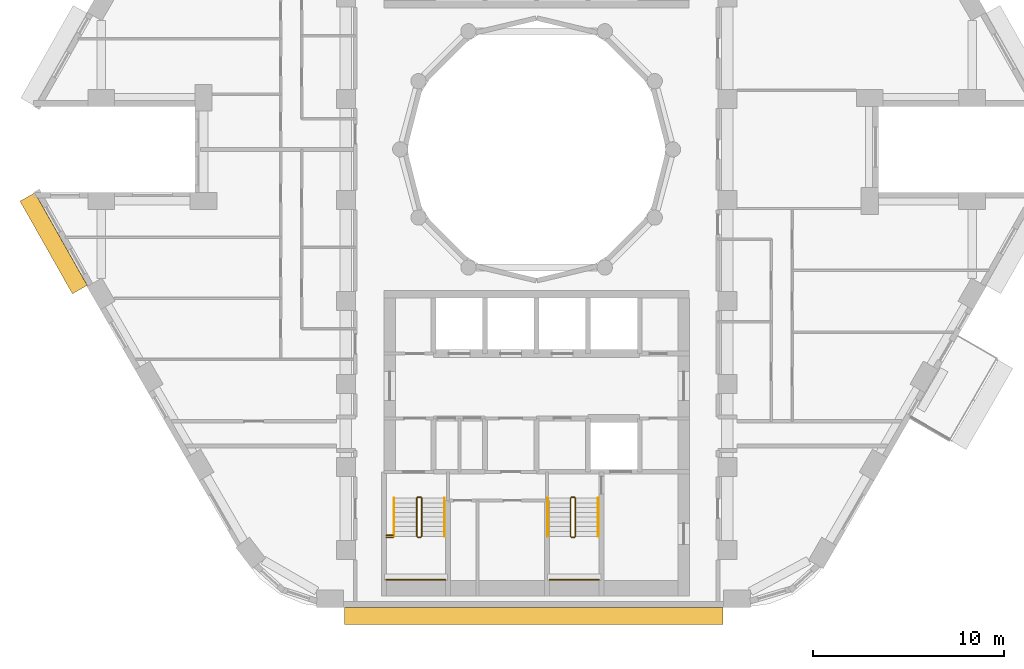
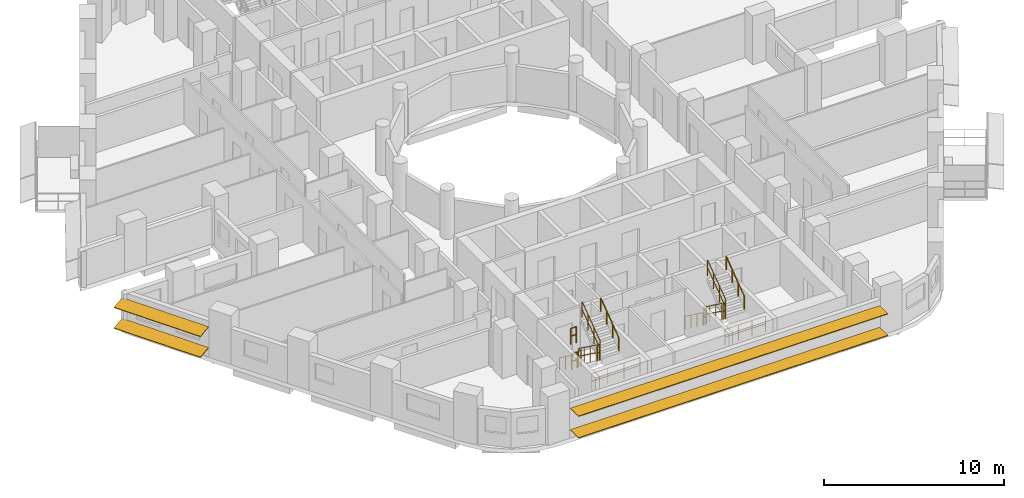
# One storey, part 12 of 14: 16 railings, 4 shading devices.
"""IFC4 building model written with IfcOpenShell, lengths in metres."""

from ifc_helpers import new_model, si_unit, direction, frame, origin, origin_2d, place, context, subcontext, project, spatial, rectangle, circle, extrude, material, material_profile, profile_set, type_object, element, save


model = new_model("IFC4")

# Units and contexts
model_context = context("Model", 3, precision=1e-05, world=origin(), true_north=direction((0.0, 1.0)))
body_context = subcontext(model_context, "Body", "Model", "MODEL_VIEW")
ifc_project = project(units=[si_unit("LENGTHUNIT", "METRE"), si_unit("AREAUNIT", "SQUARE_METRE"), si_unit("VOLUMEUNIT", "CUBIC_METRE"), si_unit("PLANEANGLEUNIT", "RADIAN"), si_unit("MASSUNIT", "GRAM", prefix="KILO")], contexts=[model_context])

# Site, building, storey
site_placement = place(None, origin())
site = spatial("IfcSite", under=ifc_project, at=site_placement, CompositionType="ELEMENT")
building_placement = place(site_placement, origin())
building = spatial("IfcBuilding", under=site, at=building_placement, Name="Nakaniwa Court", CompositionType="ELEMENT")
storey_placement = place(building_placement, frame((0.0, 0.0, 110.699951171875)))
storey = spatial("IfcBuildingStorey", under=building, at=storey_placement, Name="L29", CompositionType="ELEMENT", Elevation=110.699951171875)

# Shading devices
ifc_material_1 = material(Name="Perforated charcoal ceramic louvre blade")
ifc_material_profile = material_profile(ifc_material_1, rectangle(XDim=0.89990234375, YDim=0.050048828125, at=origin_2d()), Name="Perforated ceramic louvre blade")
ifc_profile_set = profile_set([ifc_material_profile], Name="Perforated charcoal ceramic louvre blade")
shading_device_type = type_object("IfcShadingDeviceType", Name="Perforated ceramic louvre blade", PredefinedType="JALOUSIE", material=ifc_profile_set)
for number, where, z_axis, x_axis, name in (
    (1, (53.31689453125, 77.508056640625, 0.550048828125), (0.492438058427, -0.870347493024, 0.0), (0.862701960504, 0.488112256124, 0.132256390257), "L29 perforated ceramic louvre blade w20 1"),
    (2, (53.31689453125, 77.508056640625, 1.955810546875), (0.492438058427, -0.870347493024, 0.0), (0.862701960504, 0.488112256124, 0.132256390257), "L29 perforated ceramic louvre blade w20 2"),
):
    element("IfcShadingDevice", number, at=place(storey_placement, frame(where, z_axis=z_axis, x_axis=x_axis)), inside=storey, type_object=shading_device_type, Name=name, PredefinedType="JALOUSIE", context=body_context, shape_type="SweptSolid", body=[
        extrude(rectangle(XDim=0.89990234375, YDim=0.050048828125, at=origin_2d()), origin(), (0.0, 0.0, 1.0), 5.576416015625),
    ])
for number, where, z_axis, x_axis, name in (
    (3, (69.92138671875, 55.550048828125, 0.550048828125), (1.0, 0.0, 0.0), (0.0, 1.0, 0.0), "L29 perforated ceramic louvre blade w26 1"),
    (4, (69.92138671875, 55.550048828125, 2.01513671875), (1.0, 0.0, 0.0), (0.0, 1.0, 0.0), "L29 perforated ceramic louvre blade w26 2"),
):
    element("IfcShadingDevice", number, at=place(storey_placement, frame(where, z_axis=z_axis, x_axis=x_axis)), inside=storey, type_object=shading_device_type, Name=name, PredefinedType="JALOUSIE", context=body_context, shape_type="SweptSolid", body=[
        extrude(rectangle(XDim=0.89990234375, YDim=0.050048828125, at=origin_2d()), origin(), (0.0, 0.0, 1.0), 19.839599609375),
    ])

# Railings
ifc_material_2 = material(Name="Black powder coated steel guard", Category="steel")
railing_type_1 = type_object("IfcRailingType", Name="Stair guard 1100", PredefinedType="GUARDRAIL", material=ifc_material_2)
railing_1_placement = place(storey_placement, frame((73.72509765625, 61.72509765625, 0.183349609375)))
element("IfcRailing", 5, at=railing_1_placement, inside=storey, type_object=railing_type_1, Name="L29 ST3 stair guard 1", PredefinedType="GUARDRAIL", context=body_context, shape_type="SweptSolid", body=[
    extrude(circle(Radius=0.02392578125, at=origin_2d()), frame((0.0, 0.0, 1.076171875), z_axis=(0.0, -0.806379959628, 0.591397802423), x_axis=(1.0, 0.0, 0.0)), (0.0, 0.0, 1.0), 2.480224609375),
    extrude(circle(Radius=0.02392578125, at=origin_2d()), frame((0.0, 0.0, 0.550048828125), z_axis=(0.0, -0.806379959628, 0.591397802423), x_axis=(1.0, 0.0, 0.0)), (0.0, 0.0, 1.0), 2.480224609375),
    extrude(circle(Radius=0.02099609375, at=origin_2d()), origin(), (0.0, 0.0, 1.0), 1.052001953125),
    extrude(circle(Radius=0.02099609375, at=origin_2d()), frame((0.0, -0.666748046875, 0.489013671875)), (0.0, 0.0, 1.0), 1.052001953125),
    extrude(circle(Radius=0.02099609375, at=origin_2d()), frame((0.0, -1.333251953125, 0.977783203125)), (0.0, 0.0, 1.0), 1.052001953125),
    extrude(circle(Radius=0.02099609375, at=origin_2d()), frame((0.0, -2.0, 1.466796875)), (0.0, 0.0, 1.0), 1.052001953125),
])
railing_2_placement = place(storey_placement, frame((73.77490234375, 59.675048828125, 1.650146484375)))
element("IfcRailing", 6, at=railing_2_placement, inside=storey, type_object=railing_type_1, Name="L29 ST3 stair guard 2", PredefinedType="GUARDRAIL", context=body_context, shape_type="SweptSolid", body=[
    extrude(circle(Radius=0.02392578125, at=origin_2d()), frame((0.0, 0.0, 1.076171875), z_axis=(1.0, 0.0, 0.0), x_axis=(0.0, 1.0, 0.0)), (0.0, 0.0, 1.0), 0.150146484375),
    extrude(circle(Radius=0.02392578125, at=origin_2d()), frame((0.0, 0.0, 0.550048828125), z_axis=(1.0, 0.0, 0.0), x_axis=(0.0, 1.0, 0.0)), (0.0, 0.0, 1.0), 0.150146484375),
    extrude(circle(Radius=0.02099609375, at=origin_2d()), origin(), (0.0, 0.0, 1.0), 1.052001953125),
    extrude(circle(Radius=0.02099609375, at=origin_2d()), frame((0.150146484375, 0.0, 0.0)), (0.0, 0.0, 1.0), 1.052001953125),
])
railing_3_placement = place(storey_placement, frame((73.97509765625, 59.72509765625, 1.83349609375)))
element("IfcRailing", 7, at=railing_3_placement, inside=storey, type_object=railing_type_1, Name="L29 ST3 stair guard 3", PredefinedType="GUARDRAIL", context=body_context, shape_type="SweptSolid", body=[
    extrude(circle(Radius=0.02392578125, at=origin_2d()), frame((0.0, 0.0, 1.076171875), z_axis=(0.0, 0.806426902644, 0.591333789573), x_axis=(-1.0, 0.0, 0.0)), (0.0, 0.0, 1.0), 2.47998046875),
    extrude(circle(Radius=0.02392578125, at=origin_2d()), frame((0.0, 0.0, 0.550048828125), z_axis=(0.0, 0.806426902644, 0.591333789573), x_axis=(-1.0, 0.0, 0.0)), (0.0, 0.0, 1.0), 2.47998046875),
    extrude(circle(Radius=0.02099609375, at=origin_2d()), origin(), (0.0, 0.0, 1.0), 1.052001953125),
    extrude(circle(Radius=0.02099609375, at=origin_2d()), frame((0.0, 0.666748046875, 0.48876953125)), (0.0, 0.0, 1.0), 1.052001953125),
    extrude(circle(Radius=0.02099609375, at=origin_2d()), frame((0.0, 1.333251953125, 0.977783203125)), (0.0, 0.0, 1.0), 1.052001953125),
    extrude(circle(Radius=0.02099609375, at=origin_2d()), frame((0.0, 2.0, 1.466552734375)), (0.0, 0.0, 1.0), 1.052001953125),
])
railing_4_placement = place(storey_placement, frame((73.77490234375, 61.77490234375, 0.0)))
element("IfcRailing", 8, at=railing_4_placement, inside=storey, type_object=railing_type_1, Name="L29 ST3 stair guard 4", PredefinedType="GUARDRAIL", context=body_context, shape_type="SweptSolid", body=[
    extrude(circle(Radius=0.02392578125, at=origin_2d()), frame((0.0, 0.0, 1.076171875), z_axis=(1.0, 0.0, 0.0), x_axis=(0.0, 1.0, 0.0)), (0.0, 0.0, 1.0), 0.150146484375),
    extrude(circle(Radius=0.02392578125, at=origin_2d()), frame((0.0, 0.0, 0.550048828125), z_axis=(1.0, 0.0, 0.0), x_axis=(0.0, 1.0, 0.0)), (0.0, 0.0, 1.0), 0.150146484375),
    extrude(circle(Radius=0.02099609375, at=origin_2d()), origin(), (0.0, 0.0, 1.0), 1.052001953125),
    extrude(circle(Radius=0.02099609375, at=origin_2d()), frame((0.150146484375, 0.0, 0.0)), (0.0, 0.0, 1.0), 1.052001953125),
])
railing_5_placement = place(storey_placement, frame((72.125, 57.449951171875, 1.650146484375)))
element("IfcRailing", 9, at=railing_5_placement, inside=storey, type_object=railing_type_1, Name="L29 ST3 landing end guard 1", PredefinedType="GUARDRAIL", context=body_context, shape_type="SweptSolid", body=[
    extrude(circle(Radius=0.02392578125, at=origin_2d()), frame((0.0, 0.0, 1.076171875), z_axis=(1.0, 0.0, 0.0), x_axis=(0.0, 1.0, 0.0)), (0.0, 0.0, 1.0), 3.10009765625),
    extrude(circle(Radius=0.02392578125, at=origin_2d()), frame((0.0, 0.0, 0.550048828125), z_axis=(1.0, 0.0, 0.0), x_axis=(0.0, 1.0, 0.0)), (0.0, 0.0, 1.0), 3.10009765625),
    extrude(circle(Radius=0.02099609375, at=origin_2d()), origin(), (0.0, 0.0, 1.0), 1.052001953125),
    extrude(circle(Radius=0.02099609375, at=origin_2d()), frame((1.033447265625, 0.0, 0.0)), (0.0, 0.0, 1.0), 1.052001953125),
    extrude(circle(Radius=0.02099609375, at=origin_2d()), frame((2.066650390625, 0.0, 0.0)), (0.0, 0.0, 1.0), 1.052001953125),
    extrude(circle(Radius=0.02099609375, at=origin_2d()), frame((3.10009765625, 0.0, 0.0)), (0.0, 0.0, 1.0), 1.052001953125),
])
for number, where, name in (
    (10, (72.125, 59.675048828125, 1.650146484375), "L29 ST3 landing side guard 1W"),
    (11, (72.125, 59.77490234375, 3.300048828125), "L29 ST3 floor edge guard 1W"),
):
    element("IfcRailing", number, at=place(storey_placement, frame(where)), inside=storey, type_object=railing_type_1, Name=name, PredefinedType="GUARDRAIL", context=body_context, shape_type="SweptSolid", body=[
        extrude(circle(Radius=0.02392578125, at=origin_2d()), frame((0.0, 0.0, 1.076171875), z_axis=(1.0, 0.0, 0.0), x_axis=(0.0, 1.0, 0.0)), (0.0, 0.0, 1.0), 0.35009765625),
        extrude(circle(Radius=0.02392578125, at=origin_2d()), frame((0.0, 0.0, 0.550048828125), z_axis=(1.0, 0.0, 0.0), x_axis=(0.0, 1.0, 0.0)), (0.0, 0.0, 1.0), 0.35009765625),
        extrude(circle(Radius=0.02099609375, at=origin_2d()), origin(), (0.0, 0.0, 1.0), 1.052001953125),
        extrude(circle(Radius=0.02099609375, at=origin_2d()), frame((0.35009765625, 0.0, 0.0)), (0.0, 0.0, 1.0), 1.052001953125),
    ])
railing_6_placement = place(storey_placement, frame((81.77490234375, 61.72509765625, 0.183349609375)))
element("IfcRailing", 12, at=railing_6_placement, inside=storey, type_object=railing_type_1, Name="L29 ST4 stair guard 1", PredefinedType="GUARDRAIL", context=body_context, shape_type="SweptSolid", body=[
    extrude(circle(Radius=0.02392578125, at=origin_2d()), frame((0.0, 0.0, 1.076171875), z_axis=(0.0, -0.806379959628, 0.591397802423), x_axis=(1.0, 0.0, 0.0)), (0.0, 0.0, 1.0), 2.480224609375),
    extrude(circle(Radius=0.02392578125, at=origin_2d()), frame((0.0, 0.0, 0.550048828125), z_axis=(0.0, -0.806379959628, 0.591397802423), x_axis=(1.0, 0.0, 0.0)), (0.0, 0.0, 1.0), 2.480224609375),
    extrude(circle(Radius=0.02099609375, at=origin_2d()), origin(), (0.0, 0.0, 1.0), 1.052001953125),
    extrude(circle(Radius=0.02099609375, at=origin_2d()), frame((0.0, -0.666748046875, 0.489013671875)), (0.0, 0.0, 1.0), 1.052001953125),
    extrude(circle(Radius=0.02099609375, at=origin_2d()), frame((0.0, -1.333251953125, 0.977783203125)), (0.0, 0.0, 1.0), 1.052001953125),
    extrude(circle(Radius=0.02099609375, at=origin_2d()), frame((0.0, -2.0, 1.466796875)), (0.0, 0.0, 1.0), 1.052001953125),
])
railing_7_placement = place(storey_placement, frame((81.824951171875, 59.675048828125, 1.650146484375)))
element("IfcRailing", 13, at=railing_7_placement, inside=storey, type_object=railing_type_1, Name="L29 ST4 stair guard 2", PredefinedType="GUARDRAIL", context=body_context, shape_type="SweptSolid", body=[
    extrude(circle(Radius=0.02392578125, at=origin_2d()), frame((0.0, 0.0, 1.076171875), z_axis=(1.0, 0.0, 0.0), x_axis=(0.0, 1.0, 0.0)), (0.0, 0.0, 1.0), 0.150146484375),
    extrude(circle(Radius=0.02392578125, at=origin_2d()), frame((0.0, 0.0, 0.550048828125), z_axis=(1.0, 0.0, 0.0), x_axis=(0.0, 1.0, 0.0)), (0.0, 0.0, 1.0), 0.150146484375),
    extrude(circle(Radius=0.02099609375, at=origin_2d()), origin(), (0.0, 0.0, 1.0), 1.052001953125),
    extrude(circle(Radius=0.02099609375, at=origin_2d()), frame((0.150146484375, 0.0, 0.0)), (0.0, 0.0, 1.0), 1.052001953125),
])
railing_8_placement = place(storey_placement, frame((82.02490234375, 59.72509765625, 1.83349609375)))
element("IfcRailing", 14, at=railing_8_placement, inside=storey, type_object=railing_type_1, Name="L29 ST4 stair guard 3", PredefinedType="GUARDRAIL", context=body_context, shape_type="SweptSolid", body=[
    extrude(circle(Radius=0.02392578125, at=origin_2d()), frame((0.0, 0.0, 1.076171875), z_axis=(0.0, 0.806426902644, 0.591333789573), x_axis=(-1.0, 0.0, 0.0)), (0.0, 0.0, 1.0), 2.47998046875),
    extrude(circle(Radius=0.02392578125, at=origin_2d()), frame((0.0, 0.0, 0.550048828125), z_axis=(0.0, 0.806426902644, 0.591333789573), x_axis=(-1.0, 0.0, 0.0)), (0.0, 0.0, 1.0), 2.47998046875),
    extrude(circle(Radius=0.02099609375, at=origin_2d()), origin(), (0.0, 0.0, 1.0), 1.052001953125),
    extrude(circle(Radius=0.02099609375, at=origin_2d()), frame((0.0, 0.666748046875, 0.48876953125)), (0.0, 0.0, 1.0), 1.052001953125),
    extrude(circle(Radius=0.02099609375, at=origin_2d()), frame((0.0, 1.333251953125, 0.977783203125)), (0.0, 0.0, 1.0), 1.052001953125),
    extrude(circle(Radius=0.02099609375, at=origin_2d()), frame((0.0, 2.0, 1.466552734375)), (0.0, 0.0, 1.0), 1.052001953125),
])
railing_9_placement = place(storey_placement, frame((81.824951171875, 61.77490234375, 0.0)))
element("IfcRailing", 15, at=railing_9_placement, inside=storey, type_object=railing_type_1, Name="L29 ST4 stair guard 4", PredefinedType="GUARDRAIL", context=body_context, shape_type="SweptSolid", body=[
    extrude(circle(Radius=0.02392578125, at=origin_2d()), frame((0.0, 0.0, 1.076171875), z_axis=(1.0, 0.0, 0.0), x_axis=(0.0, 1.0, 0.0)), (0.0, 0.0, 1.0), 0.150146484375),
    extrude(circle(Radius=0.02392578125, at=origin_2d()), frame((0.0, 0.0, 0.550048828125), z_axis=(1.0, 0.0, 0.0), x_axis=(0.0, 1.0, 0.0)), (0.0, 0.0, 1.0), 0.150146484375),
    extrude(circle(Radius=0.02099609375, at=origin_2d()), origin(), (0.0, 0.0, 1.0), 1.052001953125),
    extrude(circle(Radius=0.02099609375, at=origin_2d()), frame((0.150146484375, 0.0, 0.0)), (0.0, 0.0, 1.0), 1.052001953125),
])
railing_10_placement = place(storey_placement, frame((80.675048828125, 57.449951171875, 1.650146484375)))
element("IfcRailing", 16, at=railing_10_placement, inside=storey, type_object=railing_type_1, Name="L29 ST4 landing end guard 1", PredefinedType="GUARDRAIL", context=body_context, shape_type="SweptSolid", body=[
    extrude(circle(Radius=0.02392578125, at=origin_2d()), frame((0.0, 0.0, 1.076171875), z_axis=(1.0, 0.0, 0.0), x_axis=(0.0, 1.0, 0.0)), (0.0, 0.0, 1.0), 2.599853515625),
    extrude(circle(Radius=0.02392578125, at=origin_2d()), frame((0.0, 0.0, 0.550048828125), z_axis=(1.0, 0.0, 0.0), x_axis=(0.0, 1.0, 0.0)), (0.0, 0.0, 1.0), 2.599853515625),
    extrude(circle(Radius=0.02099609375, at=origin_2d()), origin(), (0.0, 0.0, 1.0), 1.052001953125),
    extrude(circle(Radius=0.02099609375, at=origin_2d()), frame((0.86669921875, 0.0, 0.0)), (0.0, 0.0, 1.0), 1.052001953125),
    extrude(circle(Radius=0.02099609375, at=origin_2d()), frame((1.733154296875, 0.0, 0.0)), (0.0, 0.0, 1.0), 1.052001953125),
    extrude(circle(Radius=0.02099609375, at=origin_2d()), frame((2.599853515625, 0.0, 0.0)), (0.0, 0.0, 1.0), 1.052001953125),
])
ifc_material_3 = material(Name="Black powder coated steel handrail", Category="steel")
railing_type_2 = type_object("IfcRailingType", Name="Stair handrail 900", PredefinedType="HANDRAIL", material=ifc_material_3)
railing_11_placement = place(storey_placement, frame((72.52490234375, 61.72509765625, 0.183349609375)))
element("IfcRailing", 17, at=railing_11_placement, inside=storey, type_object=railing_type_2, Name="L29 ST3 stair handrail 1", PredefinedType="HANDRAIL", context=body_context, shape_type="SweptSolid", body=[
    extrude(circle(Radius=0.02392578125, at=origin_2d()), frame((0.0, 0.0, 0.8759765625), z_axis=(0.0, -0.806379959628, 0.591397802423), x_axis=(1.0, 0.0, 0.0)), (0.0, 0.0, 1.0), 2.480224609375),
    extrude(circle(Radius=0.02099609375, at=origin_2d()), origin(), (0.0, 0.0, 1.0), 0.851806640625),
    extrude(circle(Radius=0.02099609375, at=origin_2d()), frame((0.0, -0.666748046875, 0.489013671875)), (0.0, 0.0, 1.0), 0.851806640625),
    extrude(circle(Radius=0.02099609375, at=origin_2d()), frame((0.0, -1.333251953125, 0.977783203125)), (0.0, 0.0, 1.0), 0.851806640625),
    extrude(circle(Radius=0.02099609375, at=origin_2d()), frame((0.0, -2.0, 1.466796875)), (0.0, 0.0, 1.0), 0.851806640625),
])
railing_12_placement = place(storey_placement, frame((75.175048828125, 59.72509765625, 1.83349609375)))
element("IfcRailing", 18, at=railing_12_placement, inside=storey, type_object=railing_type_2, Name="L29 ST3 stair handrail 2", PredefinedType="HANDRAIL", context=body_context, shape_type="SweptSolid", body=[
    extrude(circle(Radius=0.02392578125, at=origin_2d()), frame((0.0, 0.0, 0.8759765625), z_axis=(0.0, 0.806426902644, 0.591333789573), x_axis=(-1.0, 0.0, 0.0)), (0.0, 0.0, 1.0), 2.47998046875),
    extrude(circle(Radius=0.02099609375, at=origin_2d()), origin(), (0.0, 0.0, 1.0), 0.851806640625),
    extrude(circle(Radius=0.02099609375, at=origin_2d()), frame((0.0, 0.666748046875, 0.48876953125)), (0.0, 0.0, 1.0), 0.851806640625),
    extrude(circle(Radius=0.02099609375, at=origin_2d()), frame((0.0, 1.333251953125, 0.977783203125)), (0.0, 0.0, 1.0), 0.851806640625),
    extrude(circle(Radius=0.02099609375, at=origin_2d()), frame((0.0, 2.0, 1.466552734375)), (0.0, 0.0, 1.0), 0.851806640625),
])
railing_13_placement = place(storey_placement, frame((80.574951171875, 61.72509765625, 0.183349609375)))
element("IfcRailing", 19, at=railing_13_placement, inside=storey, type_object=railing_type_2, Name="L29 ST4 stair handrail 1", PredefinedType="HANDRAIL", context=body_context, shape_type="SweptSolid", body=[
    extrude(circle(Radius=0.02392578125, at=origin_2d()), frame((0.0, 0.0, 0.8759765625), z_axis=(0.0, -0.806379959628, 0.591397802423), x_axis=(1.0, 0.0, 0.0)), (0.0, 0.0, 1.0), 2.480224609375),
    extrude(circle(Radius=0.02099609375, at=origin_2d()), origin(), (0.0, 0.0, 1.0), 0.851806640625),
    extrude(circle(Radius=0.02099609375, at=origin_2d()), frame((0.0, -0.666748046875, 0.489013671875)), (0.0, 0.0, 1.0), 0.851806640625),
    extrude(circle(Radius=0.02099609375, at=origin_2d()), frame((0.0, -1.333251953125, 0.977783203125)), (0.0, 0.0, 1.0), 0.851806640625),
    extrude(circle(Radius=0.02099609375, at=origin_2d()), frame((0.0, -2.0, 1.466796875)), (0.0, 0.0, 1.0), 0.851806640625),
])
railing_14_placement = place(storey_placement, frame((83.22509765625, 59.72509765625, 1.83349609375)))
element("IfcRailing", 20, at=railing_14_placement, inside=storey, type_object=railing_type_2, Name="L29 ST4 stair handrail 2", PredefinedType="HANDRAIL", context=body_context, shape_type="SweptSolid", body=[
    extrude(circle(Radius=0.02392578125, at=origin_2d()), frame((0.0, 0.0, 0.8759765625), z_axis=(0.0, 0.806426902644, 0.591333789573), x_axis=(-1.0, 0.0, 0.0)), (0.0, 0.0, 1.0), 2.47998046875),
    extrude(circle(Radius=0.02099609375, at=origin_2d()), origin(), (0.0, 0.0, 1.0), 0.851806640625),
    extrude(circle(Radius=0.02099609375, at=origin_2d()), frame((0.0, 0.666748046875, 0.48876953125)), (0.0, 0.0, 1.0), 0.851806640625),
    extrude(circle(Radius=0.02099609375, at=origin_2d()), frame((0.0, 1.333251953125, 0.977783203125)), (0.0, 0.0, 1.0), 0.851806640625),
    extrude(circle(Radius=0.02099609375, at=origin_2d()), frame((0.0, 2.0, 1.466552734375)), (0.0, 0.0, 1.0), 0.851806640625),
])

save(model, "model.ifc")
